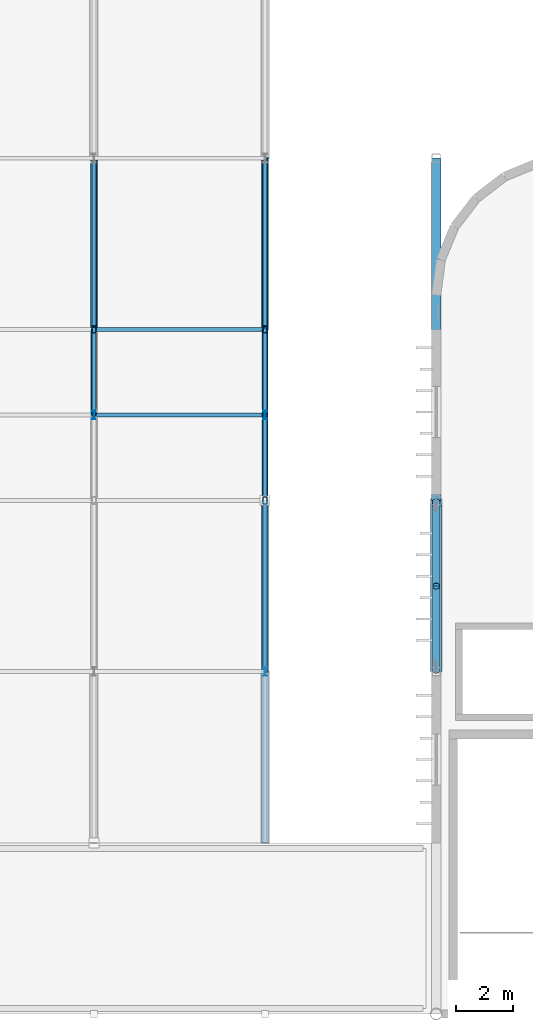
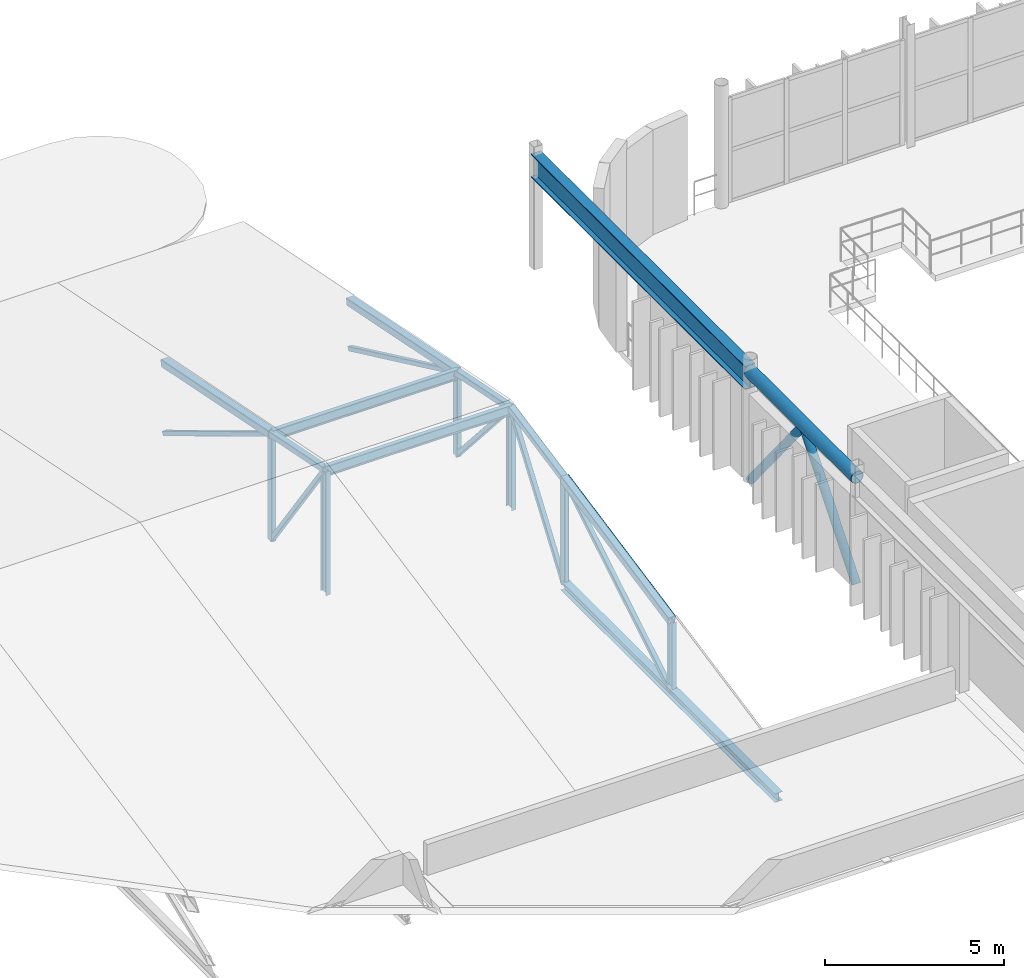
# One storey, part 38 of 83: 17 members, 8 beams.
"""IFC4 building model written with IfcOpenShell, lengths in metres."""

from ifc_helpers import new_model, si_unit, direction, frame, origin, origin_2d, place, context, subcontext, project, spatial, hollow_rectangle, hollow_circle, i_section, extrude, material, material_profile, profile_set, type_object, element, save


model = new_model("IFC4")

# Units and contexts
model_context = context("Model", 3, precision=1e-05, world=origin(), true_north=direction((0.0, 1.0)))
body_context = subcontext(model_context, "Body", "Model", "MODEL_VIEW")
ifc_project = project(units=[si_unit("LENGTHUNIT", "METRE"), si_unit("AREAUNIT", "SQUARE_METRE"), si_unit("VOLUMEUNIT", "CUBIC_METRE"), si_unit("PLANEANGLEUNIT", "RADIAN"), si_unit("MASSUNIT", "GRAM", prefix="KILO")], contexts=[model_context])

# Site, building, storey
site_placement = place(None, origin())
site = spatial("IfcSite", under=ifc_project, at=site_placement, CompositionType="ELEMENT")
building_placement = place(site_placement, origin())
building = spatial("IfcBuilding", under=site, at=building_placement, Name="Varnakota Square Police Headquarters", CompositionType="ELEMENT")
storey_placement = place(building_placement, frame((0.0, 0.0, 18.0)))
storey = spatial("IfcBuildingStorey", under=building, at=storey_placement, Name="L04", CompositionType="ELEMENT", Elevation=18.0)

# Beams
ifc_material = material(Name="Steel IS 2062 Grade 350", Category="steel")
ifc_material_profile_1 = material_profile(ifc_material, hollow_circle(Radius=0.203125, WallThickness=0.01611328125, at=origin_2d()), Name="CHS 406.4x16.0")
ifc_profile_set_1 = profile_set([ifc_material_profile_1], Name="Steel IS 2062 Grade 350")
beam_type_1 = type_object("IfcBeamType", Name="BM-ARC-CHS406", PredefinedType="BEAM", material=ifc_profile_set_1)
beam_1_placement = place(storey_placement, frame((60.0, 81.0, 3.69677734375), z_axis=(0.0, 1.0, 0.0), x_axis=(-1.0, 0.0, 0.0)))
element("IfcBeam", 1, at=beam_1_placement, inside=storey, type_object=beam_type_1, Name="BMG-L04-2977", PredefinedType="BEAM", context=body_context, shape_type="SweptSolid", body=[
    extrude(hollow_circle(Radius=0.203125, WallThickness=0.01611328125, at=origin_2d()), origin(), (0.0, 0.0, 1.0), 6.0),
])
ifc_material_profile_2 = material_profile(ifc_material, i_section(OverallWidth=0.320068359375, OverallDepth=0.800048828125, WebThickness=0.01611328125, FlangeThickness=0.028076171875, at=origin_2d()), Name="BPG 800x320")
ifc_profile_set_2 = profile_set([ifc_material_profile_2], Name="Steel IS 2062 Grade 350")
beam_type_2 = type_object("IfcBeamType", Name="BM-BPG800", PredefinedType="BEAM", material=ifc_profile_set_2)
beam_2_placement = place(storey_placement, frame((60.0, 87.0, 3.5), z_axis=(0.0, 1.0, 0.0), x_axis=(-1.0, 0.0, 0.0)))
element("IfcBeam", 2, at=beam_2_placement, inside=storey, type_object=beam_type_2, Name="BMG-L04-2978", PredefinedType="BEAM", context=body_context, shape_type="SweptSolid", body=[
    extrude(i_section(OverallWidth=0.320068359375, OverallDepth=0.800048828125, WebThickness=0.01611328125, FlangeThickness=0.028076171875, at=origin_2d()), origin(), (0.0, 0.0, 1.0), 12.0),
])
ifc_material_profile_3 = material_profile(ifc_material, hollow_rectangle(XDim=0.199951171875, YDim=0.199951171875, WallThickness=0.010009765625, InnerFilletRadius=0.010009765625, OuterFilletRadius=0.02001953125, at=origin_2d()), Name="SHS 200x200x10")
ifc_profile_set_3 = profile_set([ifc_material_profile_3], Name="Steel IS 2062 Grade 350")
beam_type_3 = type_object("IfcBeamType", Name="BM-TR-SHS200", PredefinedType="BEAM", material=ifc_profile_set_3)
for number, where, z_axis, x_axis, name in (
    (3, (48.0, 90.0, 2.719970703125), (0.0, 0.980589882373, -0.196070096109), (-1.0, 0.0, 0.0), "ROOF TRUSS top chord T7-P4"),
    (4, (54.0, 87.0, 2.1201171875), (0.0, 0.980589882373, 0.196070096109), (-1.0, 0.0, 0.0), "ROOF TRUSS top chord T8-P3"),
    (5, (54.0, 90.0, 2.719970703125), (0.0, 0.980589882373, -0.196070096109), (-1.0, 0.0, 0.0), "ROOF TRUSS top chord T8-P4"),
):
    element("IfcBeam", number, at=place(storey_placement, frame(where, z_axis=z_axis, x_axis=x_axis)), inside=storey, type_object=beam_type_3, Name=name, PredefinedType="BEAM", context=body_context, shape_type="SweptSolid", body=[
        extrude(hollow_rectangle(XDim=0.199951171875, YDim=0.199951171875, WallThickness=0.010009765625, InnerFilletRadius=0.010009765625, OuterFilletRadius=0.02001953125, at=origin_2d()), origin(), (0.0, 0.0, 1.0), 3.059326171875),
    ])
ifc_material_profile_4 = material_profile(ifc_material, hollow_rectangle(XDim=0.25, YDim=0.25, WallThickness=0.011962890625, InnerFilletRadius=0.011962890625, OuterFilletRadius=0.02392578125, at=origin_2d()), Name="SHS 250x250x12")
ifc_profile_set_4 = profile_set([ifc_material_profile_4], Name="Steel IS 2062 Grade 350")
beam_type_4 = type_object("IfcBeamType", Name="BM-TR-SHS250", PredefinedType="BEAM", material=ifc_profile_set_4)
for number, where, z_axis, x_axis, name in (
    (6, (48.0, 93.0, 2.1201171875), (0.0, 0.980574536798, -0.196146827104), (-1.0, 0.0, 0.0), "ROOF TRUSS top chord T7-P5"),
    (7, (54.0, 81.0, 0.919921875), (0.0, 0.980574536798, 0.196146827104), (-1.0, 0.0, 0.0), "ROOF TRUSS top chord T8-P2"),
    (8, (54.0, 93.0, 2.1201171875), (0.0, 0.980574536798, -0.196146827104), (-1.0, 0.0, 0.0), "ROOF TRUSS top chord T8-P5"),
):
    element("IfcBeam", number, at=place(storey_placement, frame(where, z_axis=z_axis, x_axis=x_axis)), inside=storey, type_object=beam_type_4, Name=name, PredefinedType="BEAM", context=body_context, shape_type="SweptSolid", body=[
        extrude(hollow_rectangle(XDim=0.25, YDim=0.25, WallThickness=0.011962890625, InnerFilletRadius=0.011962890625, OuterFilletRadius=0.02392578125, at=origin_2d()), origin(), (0.0, 0.0, 1.0), 6.118896484375),
    ])

# Members
ifc_material_profile_5 = material_profile(ifc_material, hollow_circle(Radius=0.136474609375, WallThickness=0.010009765625, at=origin_2d()), Name="CHS 273.0x10.0")
ifc_profile_set_5 = profile_set([ifc_material_profile_5], Name="Steel IS 2062 Grade 350")
member_type_1 = type_object("IfcMemberType", Name="MEM-BR-CHS273", PredefinedType="BRACE", material=ifc_profile_set_5)
for number, where, z_axis, x_axis, name in (
    (9, (60.0, 81.050048828125, 0.02001953125), (0.0, 0.630679081609, 0.776043746203), (-1.0, 0.0, 0.0), "Lateral brace BF5 L04 left"),
    (10, (60.0, 86.949951171875, 0.02001953125), (0.0, -0.630679081609, 0.776043746203), (1.0, 0.0, 0.0), "Lateral brace BF5 L04 right"),
):
    element("IfcMember", number, at=place(storey_placement, frame(where, z_axis=z_axis, x_axis=x_axis)), inside=storey, type_object=member_type_1, Name=name, PredefinedType="BRACE", context=body_context, shape_type="SweptSolid", body=[
        extrude(hollow_circle(Radius=0.136474609375, WallThickness=0.010009765625, at=origin_2d()), origin(), (0.0, 0.0, 1.0), 4.677490234375),
    ])
ifc_material_profile_6 = material_profile(ifc_material, hollow_rectangle(XDim=0.14990234375, YDim=0.14990234375, WallThickness=0.008056640625, InnerFilletRadius=0.008056640625, OuterFilletRadius=0.01611328125, at=origin_2d()), Name="SHS 150x150x8")
ifc_profile_set_6 = profile_set([ifc_material_profile_6], Name="Steel IS 2062 Grade 350")
member_type_2 = type_object("IfcMemberType", Name="MEM-BR-SHS150", PredefinedType="BRACE", material=ifc_profile_set_6)
member_1_placement = place(storey_placement, frame((48.0, 90.0, 2.719970703125), z_axis=(0.0, 0.579412433141, -0.815034497627), x_axis=(-1.0, 0.0, 0.0)))
element("IfcMember", 11, at=member_1_placement, inside=storey, type_object=member_type_2, Name="ROOF TRUSS diagonal web T7-P4", PredefinedType="BRACE", context=body_context, shape_type="SweptSolid", body=[
    extrude(hollow_rectangle(XDim=0.14990234375, YDim=0.14990234375, WallThickness=0.008056640625, InnerFilletRadius=0.008056640625, OuterFilletRadius=0.01611328125, at=origin_2d()), origin(), (0.0, 0.0, 1.0), 5.177734375),
])
for number, where, z_axis, x_axis, name in (
    (12, (48.0, 93.0, 2.1201171875), (0.0, 0.856223797044, -0.516605080671), (-1.0, 0.0, 0.0), "ROOF TRUSS diagonal web T7-P5"),
    (13, (54.0, 81.0, -1.5), (0.0, 0.856223797044, 0.516605080671), (-1.0, 0.0, 0.0), "ROOF TRUSS diagonal web T8-P2"),
):
    element("IfcMember", number, at=place(storey_placement, frame(where, z_axis=z_axis, x_axis=x_axis)), inside=storey, type_object=member_type_2, Name=name, PredefinedType="BRACE", context=body_context, shape_type="SweptSolid", body=[
        extrude(hollow_rectangle(XDim=0.14990234375, YDim=0.14990234375, WallThickness=0.008056640625, InnerFilletRadius=0.008056640625, OuterFilletRadius=0.01611328125, at=origin_2d()), origin(), (0.0, 0.0, 1.0), 7.007568359375),
    ])
member_2_placement = place(storey_placement, frame((54.0, 87.0, -1.5), z_axis=(0.0, 0.579412433141, 0.815034497627), x_axis=(-1.0, 0.0, 0.0)))
element("IfcMember", 14, at=member_2_placement, inside=storey, type_object=member_type_2, Name="ROOF TRUSS diagonal web T8-P3", PredefinedType="BRACE", context=body_context, shape_type="SweptSolid", body=[
    extrude(hollow_rectangle(XDim=0.14990234375, YDim=0.14990234375, WallThickness=0.008056640625, InnerFilletRadius=0.008056640625, OuterFilletRadius=0.01611328125, at=origin_2d()), origin(), (0.0, 0.0, 1.0), 5.177734375),
])
member_3_placement = place(storey_placement, frame((54.0, 90.0, 2.719970703125), z_axis=(0.0, 0.659446331622, -0.751751644967), x_axis=(-1.0, 0.0, 0.0)))
element("IfcMember", 15, at=member_3_placement, inside=storey, type_object=member_type_2, Name="ROOF TRUSS diagonal web T8-P4", PredefinedType="BRACE", context=body_context, shape_type="SweptSolid", body=[
    extrude(hollow_rectangle(XDim=0.14990234375, YDim=0.14990234375, WallThickness=0.008056640625, InnerFilletRadius=0.008056640625, OuterFilletRadius=0.01611328125, at=origin_2d()), origin(), (0.0, 0.0, 1.0), 4.54931640625),
])
member_4_placement = place(storey_placement, frame((54.0, 93.0, 2.1201171875), z_axis=(0.0, 0.905019732331, -0.425369585293), x_axis=(-1.0, 0.0, 0.0)))
element("IfcMember", 16, at=member_4_placement, inside=storey, type_object=member_type_2, Name="ROOF TRUSS diagonal web T8-P5", PredefinedType="BRACE", context=body_context, shape_type="SweptSolid", body=[
    extrude(hollow_rectangle(XDim=0.14990234375, YDim=0.14990234375, WallThickness=0.008056640625, InnerFilletRadius=0.008056640625, OuterFilletRadius=0.01611328125, at=origin_2d()), origin(), (0.0, 0.0, 1.0), 6.629638671875),
])
ifc_material_profile_7 = material_profile(ifc_material, i_section(OverallWidth=0.139892578125, OverallDepth=0.35009765625, WebThickness=0.008056640625, FlangeThickness=0.01416015625, FilletRadius=0.013916015625, at=origin_2d()), Name="ISMB 350")
ifc_profile_set_7 = profile_set([ifc_material_profile_7], Name="Steel IS 2062 Grade 350")
member_type_3 = type_object("IfcMemberType", Name="MEM-PUR-ISMB350", PredefinedType="PURLIN", material=ifc_profile_set_7)
for number, where, z_axis, x_axis, name in (
    (17, (48.0, 90.0, 2.675048828125), (1.0, 0.0, 0.0), (0.0, 1.0, 0.0), "Tactical hall purlin B7-Y90"),
    (18, (48.0, 93.0, 2.074951171875), (1.0, 0.0, 0.0), (0.0, 1.0, 0.0), "Tactical hall purlin B7-Y93"),
):
    element("IfcMember", number, at=place(storey_placement, frame(where, z_axis=z_axis, x_axis=x_axis)), inside=storey, type_object=member_type_3, Name=name, PredefinedType="PURLIN", context=body_context, shape_type="SweptSolid", body=[
        extrude(i_section(OverallWidth=0.139892578125, OverallDepth=0.35009765625, WebThickness=0.008056640625, FlangeThickness=0.01416015625, FilletRadius=0.013916015625, at=origin_2d()), origin(), (0.0, 0.0, 1.0), 6.0),
    ])
ifc_material_profile_8 = material_profile(ifc_material, i_section(OverallWidth=0.139892578125, OverallDepth=0.300048828125, WebThickness=0.0078125, FlangeThickness=0.01318359375, FilletRadius=0.013916015625, at=origin_2d()), Name="ISMB 300")
ifc_profile_set_8 = profile_set([ifc_material_profile_8], Name="Steel IS 2062 Grade 350")
member_type_4 = type_object("IfcMemberType", Name="MEM-STR-ISMB300", PredefinedType="STRUT", material=ifc_profile_set_8)
member_5_placement = place(storey_placement, frame((48.0, 90.0, -1.5), z_axis=(0.0, 0.0, 1.0), x_axis=(1.0, 0.0, 0.0)))
element("IfcMember", 19, at=member_5_placement, inside=storey, type_object=member_type_4, Name="ROOF TRUSS vertical strut T7-V3", PredefinedType="STRUT", context=body_context, shape_type="SweptSolid", body=[
    extrude(i_section(OverallWidth=0.139892578125, OverallDepth=0.300048828125, WebThickness=0.0078125, FlangeThickness=0.01318359375, FilletRadius=0.013916015625, at=origin_2d()), origin(), (0.0, 0.0, 1.0), 4.219970703125),
])
member_6_placement = place(storey_placement, frame((54.0, 81.0, -1.5), z_axis=(0.0, 0.0, 1.0), x_axis=(1.0, 0.0, 0.0)))
element("IfcMember", 20, at=member_6_placement, inside=storey, type_object=member_type_4, Name="ROOF TRUSS vertical strut T8-V1", PredefinedType="STRUT", context=body_context, shape_type="SweptSolid", body=[
    extrude(i_section(OverallWidth=0.139892578125, OverallDepth=0.300048828125, WebThickness=0.0078125, FlangeThickness=0.01318359375, FilletRadius=0.013916015625, at=origin_2d()), origin(), (0.0, 0.0, 1.0), 2.419921875),
])
member_7_placement = place(storey_placement, frame((54.0, 90.0, -0.699951171875), z_axis=(0.0, 0.0, 1.0), x_axis=(1.0, 0.0, 0.0)))
element("IfcMember", 21, at=member_7_placement, inside=storey, type_object=member_type_4, Name="ROOF TRUSS vertical strut T8-V3", PredefinedType="STRUT", context=body_context, shape_type="SweptSolid", body=[
    extrude(i_section(OverallWidth=0.139892578125, OverallDepth=0.300048828125, WebThickness=0.0078125, FlangeThickness=0.01318359375, FilletRadius=0.013916015625, at=origin_2d()), origin(), (0.0, 0.0, 1.0), 3.419921875),
])
ifc_material_profile_9 = material_profile(ifc_material, hollow_rectangle(XDim=0.14990234375, YDim=0.25, WallThickness=0.010009765625, InnerFilletRadius=0.010009765625, OuterFilletRadius=0.02001953125, at=origin_2d()), Name="RHS 250x150x10")
ifc_profile_set_9 = profile_set([ifc_material_profile_9], Name="Steel IS 2062 Grade 350")
member_type_5 = type_object("IfcMemberType", Name="MEM-STR-RHS250", PredefinedType="STRUT", material=ifc_profile_set_9)
for number, where, z_axis, x_axis, name in (
    (22, (48.0, 93.0, -1.5), (0.0, 0.0, 1.0), (1.0, 0.0, 0.0), "ROOF TRUSS vertical strut T7-V4"),
    (23, (54.0, 87.0, -1.5), (0.0, 0.0, 1.0), (1.0, 0.0, 0.0), "ROOF TRUSS vertical strut T8-V2"),
):
    element("IfcMember", number, at=place(storey_placement, frame(where, z_axis=z_axis, x_axis=x_axis)), inside=storey, type_object=member_type_5, Name=name, PredefinedType="STRUT", context=body_context, shape_type="SweptSolid", body=[
        extrude(hollow_rectangle(XDim=0.14990234375, YDim=0.25, WallThickness=0.010009765625, InnerFilletRadius=0.010009765625, OuterFilletRadius=0.02001953125, at=origin_2d()), origin(), (0.0, 0.0, 1.0), 3.6201171875),
    ])
member_8_placement = place(storey_placement, frame((54.0, 93.0, -0.699951171875), z_axis=(0.0, 0.0, 1.0), x_axis=(1.0, 0.0, 0.0)))
element("IfcMember", 24, at=member_8_placement, inside=storey, type_object=member_type_5, Name="ROOF TRUSS vertical strut T8-V4", PredefinedType="STRUT", context=body_context, shape_type="SweptSolid", body=[
    extrude(hollow_rectangle(XDim=0.14990234375, YDim=0.25, WallThickness=0.010009765625, InnerFilletRadius=0.010009765625, OuterFilletRadius=0.02001953125, at=origin_2d()), origin(), (0.0, 0.0, 1.0), 2.820068359375),
])
ifc_material_profile_10 = material_profile(ifc_material, i_section(OverallWidth=0.25, OverallDepth=0.300048828125, WebThickness=0.009521484375, FlangeThickness=0.010498046875, FilletRadius=0.011962890625, at=origin_2d()), Name="ISHB 300")
ifc_profile_set_10 = profile_set([ifc_material_profile_10], Name="Steel IS 2062 Grade 350")
member_type_6 = type_object("IfcMemberType", Name="MEM-TRCH-ISHB300", PredefinedType="CHORD", material=ifc_profile_set_10)
member_9_placement = place(storey_placement, frame((54.0, 75.0, -1.5), z_axis=(0.0, 1.0, 0.0), x_axis=(-1.0, 0.0, 0.0)))
element("IfcMember", 25, at=member_9_placement, inside=storey, type_object=member_type_6, Name="ROOF TRUSS bottom chord T8", PredefinedType="CHORD", context=body_context, shape_type="SweptSolid", body=[
    extrude(i_section(OverallWidth=0.25, OverallDepth=0.300048828125, WebThickness=0.009521484375, FlangeThickness=0.010498046875, FilletRadius=0.011962890625, at=origin_2d()), origin(), (0.0, 0.0, 1.0), 12.0),
])

save(model, "model.ifc")
